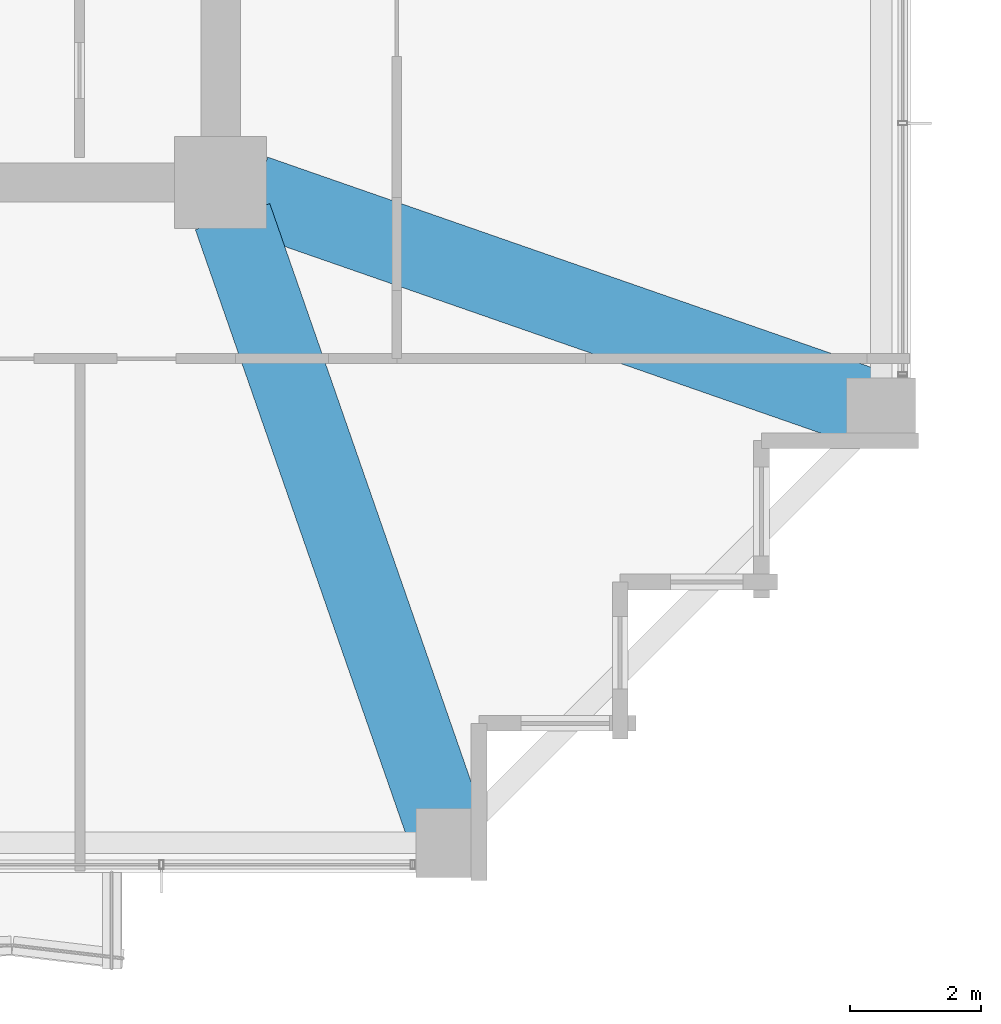
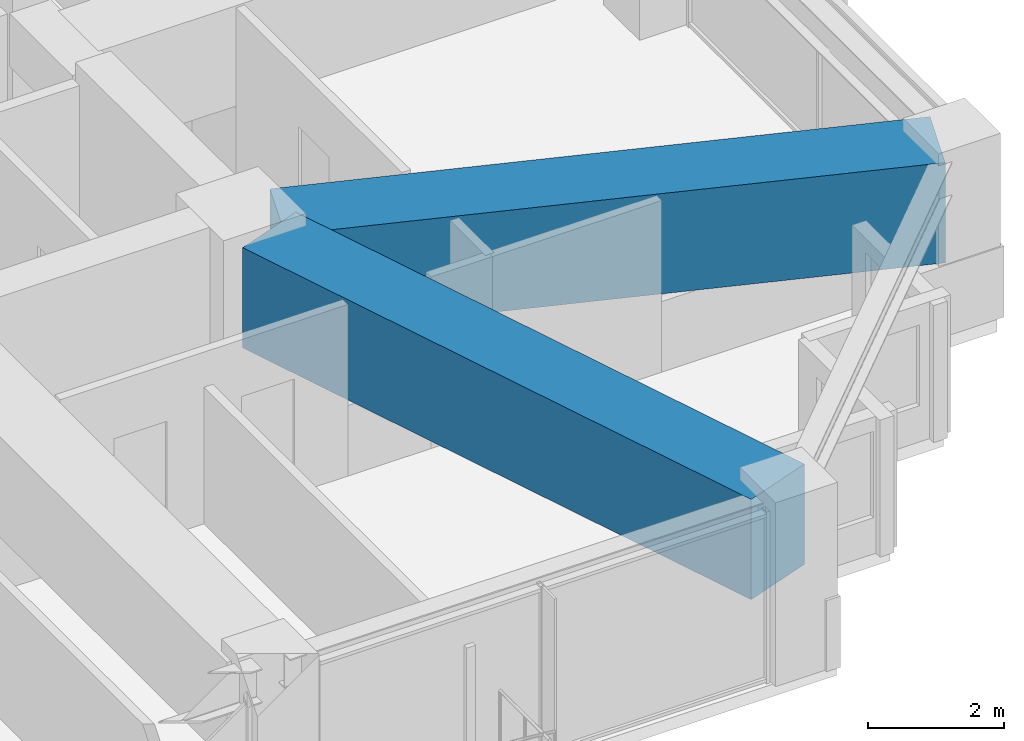
# One storey, part 14 of 39: 2 beams.
"""IFC4 building model written with IfcOpenShell, lengths in metres."""

from ifc_helpers import new_model, si_unit, direction, frame, origin, origin_2d, place, context, subcontext, project, spatial, rectangle, extrude, material, material_profile, profile_set, type_object, element, save


model = new_model("IFC4")

# Units and contexts
model_context = context("Model", 3, precision=1e-05, world=origin(), true_north=direction((0.0, 1.0)))
body_context = subcontext(model_context, "Body", "Model", "MODEL_VIEW")
ifc_project = project(units=[si_unit("LENGTHUNIT", "METRE"), si_unit("AREAUNIT", "SQUARE_METRE"), si_unit("VOLUMEUNIT", "CUBIC_METRE"), si_unit("PLANEANGLEUNIT", "RADIAN"), si_unit("MASSUNIT", "GRAM", prefix="KILO")], contexts=[model_context])

# Site, building, storey
site_placement = place(None, origin())
site = spatial("IfcSite", under=ifc_project, at=site_placement, CompositionType="ELEMENT")
building_placement = place(site_placement, origin())
building = spatial("IfcBuilding", under=site, at=building_placement, Name="Kolvaren Belvedere", CompositionType="ELEMENT")
storey_placement = place(building_placement, frame((0.0, 0.0, 85.39990234375)))
storey = spatial("IfcBuildingStorey", under=building, at=storey_placement, Name="L24", CompositionType="ELEMENT", Elevation=85.39990234375)

# Beams
ifc_material = material(Name="Concrete C50/60", Category="concrete")
ifc_material_profile = material_profile(ifc_material, rectangle(XDim=1.199951171875, YDim=1.800048828125, at=origin_2d()), Name="RC 1200X1800")
ifc_profile_set = profile_set([ifc_material_profile], Name="Concrete C50/60")
beam_type = type_object("IfcBeamType", Name="BM-TG-1800", PredefinedType="BEAM", material=ifc_profile_set)
for number, where, z_axis, x_axis, name in (
    (1, (10.080810546875, -10.41943359375, 2.18017578125), (0.328880894453, -0.944371408538, 0.0), (0.944371408538, 0.328880894453, 0.0), "L24 Corner Core-to-Perimeter Girder CC2-S4"),
    (2, (10.41943359375, -10.080810546875, 2.18017578125), (0.944371408538, -0.328880894453, 0.0), (0.328880894453, 0.944371408538, 0.0), "L24 Corner Core-to-Perimeter Girder CC2-E1"),
):
    element("IfcBeam", number, at=place(storey_placement, frame(where, z_axis=z_axis, x_axis=x_axis)), inside=storey, type_object=beam_type, Name=name, PredefinedType="BEAM", context=body_context, shape_type="SweptSolid", body=[
        extrude(rectangle(XDim=1.199951171875, YDim=1.800048828125, at=origin_2d()), origin(), (0.0, 0.0, 1.0), 9.882080078125),
    ])

save(model, "model.ifc")
